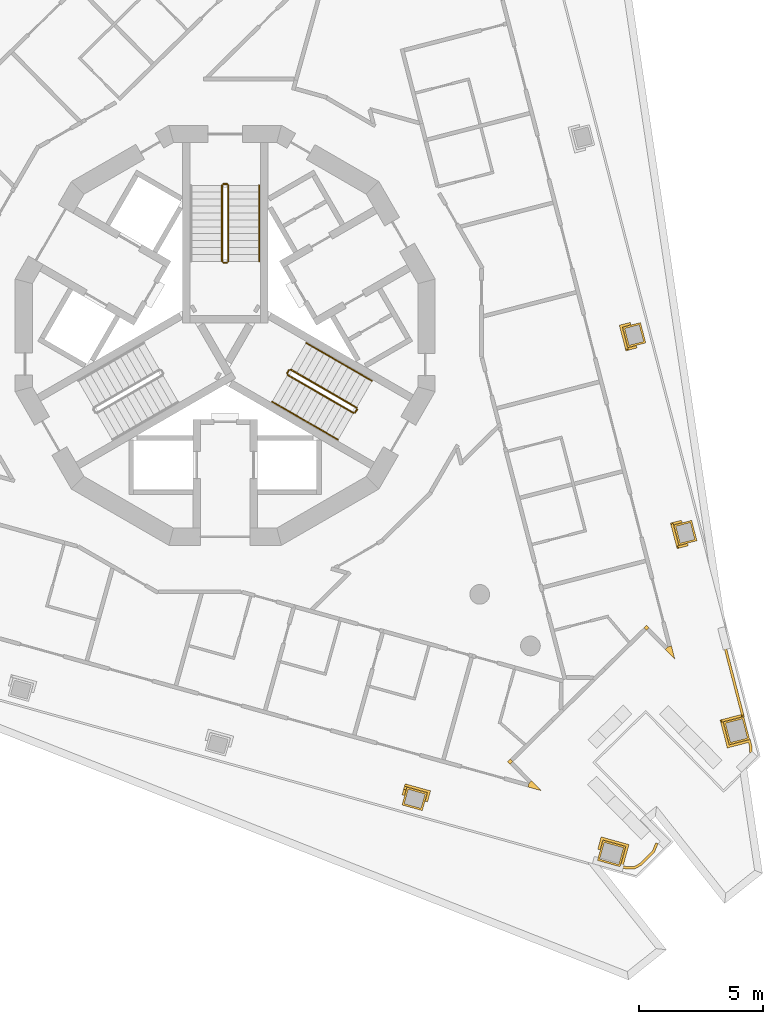
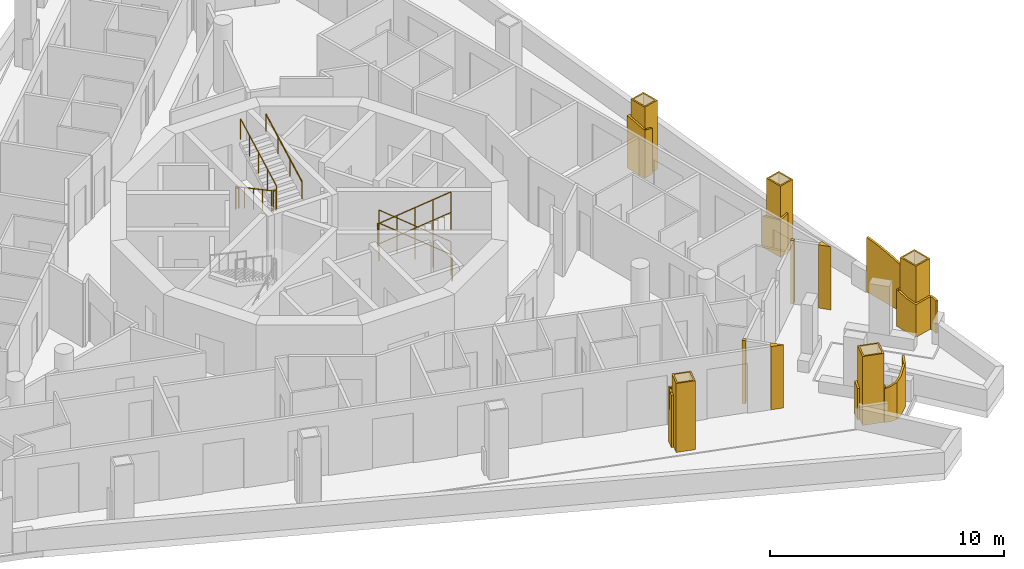
# One storey, part 12 of 14: 18 railings, 9 coverings.
"""IFC4 building model written with IfcOpenShell, lengths in metres."""

from ifc_helpers import new_model, si_unit, direction, frame, origin, origin_2d, place, context, subcontext, project, spatial, polyline, circle, outline, extrude, material, layer, layer_set, type_object, element, save


model = new_model("IFC4")

# Units and contexts
model_context = context("Model", 3, precision=1e-05, world=origin(), true_north=direction((0.0, 1.0)))
body_context = subcontext(model_context, "Body", "Model", "MODEL_VIEW")
ifc_project = project(units=[si_unit("LENGTHUNIT", "METRE"), si_unit("AREAUNIT", "SQUARE_METRE"), si_unit("VOLUMEUNIT", "CUBIC_METRE"), si_unit("PLANEANGLEUNIT", "RADIAN"), si_unit("MASSUNIT", "GRAM", prefix="KILO")], contexts=[model_context])

# Site, building, storey
site_placement = place(None, origin())
site = spatial("IfcSite", under=ifc_project, at=site_placement, CompositionType="ELEMENT")
building_placement = place(site_placement, origin())
building = spatial("IfcBuilding", under=site, at=building_placement, Name="Trine Commons Tower", CompositionType="ELEMENT")
storey_placement = place(building_placement, frame((0.0, 0.0, 234.89990234375)))
storey = spatial("IfcBuildingStorey", under=building, at=storey_placement, Name="L61", CompositionType="ELEMENT", Elevation=234.89990234375)

# Coverings
ifc_material_1 = material(Name="Aluminium-framed insulated wall panel", Category="aluminium")
ifc_layer_1 = layer(ifc_material_1, 0.14990234375)
ifc_layer_set_1 = layer_set([ifc_layer_1], Name="Aluminium-framed insulated wall panel")
covering_type_1 = type_object("IfcCoveringType", Name="Glazing corner post, aluminium", PredefinedType="CLADDING", material=ifc_layer_set_1)
covering_1_placement = place(storey_placement, origin())
element("IfcCovering", 1, at=covering_1_placement, inside=storey, type_object=covering_type_1, Name="Glazing corner post 7-06", PredefinedType="CLADDING", context=body_context, shape_type="SweptSolid", body=[
    extrude(outline(polyline([(97.80859375, 49.78515625), (98.200927734375, 49.3857421875), (98.060791015625, 49.927734375), (97.91552734375, 49.890380859375), (97.91552734375, 49.890380859375), (97.80859375, 49.78515625)])), origin(), (0.0, 0.0, 1.0), 3.300048828125),
])
covering_2_placement = place(storey_placement, origin())
element("IfcCovering", 2, at=covering_2_placement, inside=storey, type_object=covering_type_1, Name="Glazing corner post 7-07", PredefinedType="CLADDING", context=body_context, shape_type="SweptSolid", body=[
    extrude(outline(polyline([(96.9423828125, 50.66650390625), (97.047607421875, 50.5595703125), (97.154541015625, 50.66455078125), (97.04931640625, 50.771484375), (96.9423828125, 50.66650390625)])), origin(), (0.0, 0.0, 1.0), 3.300048828125),
])
covering_3_placement = place(storey_placement, origin())
element("IfcCovering", 3, at=covering_3_placement, inside=storey, type_object=covering_type_1, Name="Glazing corner post 7-08", PredefinedType="CLADDING", context=body_context, shape_type="SweptSolid", body=[
    extrude(outline(polyline([(91.5341796875, 45.1416015625), (91.64111328125, 45.24658203125), (91.535888671875, 45.353515625), (91.428955078125, 45.24853515625), (91.5341796875, 45.1416015625)])), origin(), (0.0, 0.0, 1.0), 3.300048828125),
])
covering_4_placement = place(storey_placement, origin())
element("IfcCovering", 4, at=covering_4_placement, inside=storey, type_object=covering_type_1, Name="Glazing corner post 7-09", PredefinedType="CLADDING", context=body_context, shape_type="SweptSolid", body=[
    extrude(outline(polyline([(92.255126953125, 44.222412109375), (92.79443359375, 44.072998046875), (92.402099609375, 44.47216796875), (92.295166015625, 44.3671875), (92.255126953125, 44.222412109375)])), origin(), (0.0, 0.0, 1.0), 3.300048828125),
])
ifc_material_2 = material(Name="Limestone, honed", Category="masonry")
ifc_layer_2 = layer(ifc_material_2, 0.074951171875)
ifc_layer_set_2 = layer_set([ifc_layer_2], Name="Limestone, honed")
covering_type_2 = type_object("IfcCoveringType", Name="Limestone column cladding 75", PredefinedType="CLADDING", material=ifc_layer_set_2)
covering_5_placement = place(storey_placement, origin())
element("IfcCovering", 5, at=covering_5_placement, inside=storey, type_object=covering_type_2, Name="Limestone pier cladding 7-01", PredefinedType="CLADDING", context=body_context, shape_type="SweptSolid", body=[
    extrude(outline(polyline([(95.292724609375, 42.0673828125), (95.0654296875, 41.248291015625), (95.98095703125, 40.994384765625), (96.2080078125, 41.8134765625), (95.292724609375, 42.0673828125)]), holes=[polyline([(95.344970703125, 41.97509765625), (95.15771484375, 41.300537109375), (95.9287109375, 41.086669921875), (96.11572265625, 41.76123046875), (95.344970703125, 41.97509765625)])]), origin(), (0.0, 0.0, 1.0), 3.60009765625),
])
covering_6_placement = place(storey_placement, origin())
element("IfcCovering", 6, at=covering_6_placement, inside=storey, type_object=covering_type_2, Name="Limestone pier cladding 7-02", PredefinedType="CLADDING", context=body_context, shape_type="SweptSolid", body=[
    extrude(outline(polyline([(87.359619140625, 44.215576171875), (87.158935546875, 43.492919921875), (87.97802734375, 43.265869140625), (88.1787109375, 43.988525390625), (87.359619140625, 44.215576171875)]), holes=[polyline([(87.41162109375, 44.123291015625), (87.25146484375, 43.545166015625), (87.92578125, 43.358154296875), (88.086181640625, 43.936279296875), (87.41162109375, 44.123291015625)])]), origin(), (0.0, 0.0, 1.0), 3.60009765625),
])
covering_7_placement = place(storey_placement, origin())
element("IfcCovering", 7, at=covering_7_placement, inside=storey, type_object=covering_type_2, Name="Limestone pier cladding 7-16", PredefinedType="CLADDING", context=body_context, shape_type="SweptSolid", body=[
    extrude(outline(polyline([(96.808837890625, 63.015625), (96.082763671875, 62.827880859375), (96.295654296875, 62.0048828125), (97.021728515625, 62.192626953125), (96.808837890625, 63.015625)]), holes=[polyline([(96.755126953125, 62.92431640625), (96.17431640625, 62.77392578125), (96.349609375, 62.09619140625), (96.930419921875, 62.24658203125), (96.755126953125, 62.92431640625)])]), origin(), (0.0, 0.0, 1.0), 3.60009765625),
])
covering_8_placement = place(storey_placement, origin())
element("IfcCovering", 8, at=covering_8_placement, inside=storey, type_object=covering_type_2, Name="Limestone pier cladding 7-17", PredefinedType="CLADDING", context=body_context, shape_type="SweptSolid", body=[
    extrude(outline(polyline([(98.87939453125, 55.010498046875), (98.1533203125, 54.822509765625), (98.3662109375, 53.99951171875), (99.09228515625, 54.1875), (98.87939453125, 55.010498046875)]), holes=[polyline([(98.825439453125, 54.9189453125), (98.24462890625, 54.768798828125), (98.419921875, 54.091064453125), (99.000732421875, 54.2412109375), (98.825439453125, 54.9189453125)])]), origin(), (0.0, 0.0, 1.0), 3.60009765625),
])
covering_9_placement = place(storey_placement, origin())
element("IfcCovering", 9, at=covering_9_placement, inside=storey, type_object=covering_type_2, Name="Limestone pier cladding 7-18", PredefinedType="CLADDING", context=body_context, shape_type="SweptSolid", body=[
    extrude(outline(polyline([(100.985595703125, 47.06591796875), (100.16259765625, 46.853271484375), (100.400390625, 45.933349609375), (101.223388671875, 46.146240234375), (100.985595703125, 47.06591796875)]), holes=[polyline([(100.931640625, 46.974609375), (100.25390625, 46.79931640625), (100.454345703125, 46.02490234375), (101.132080078125, 46.2001953125), (100.931640625, 46.974609375)])]), origin(), (0.0, 0.0, 1.0), 3.60009765625),
])

# Railings
ifc_material_3 = material(Name="Stainless steel balustrade", Category="steel")
railing_type_1 = type_object("IfcRailingType", Name="Stair guard, steel balustrade 1100", PredefinedType="GUARDRAIL", material=ifc_material_3)
railing_1_placement = place(storey_placement, frame((79.875, 68.570556640625, 0.150146484375)))
element("IfcRailing", 10, at=railing_1_placement, inside=storey, type_object=railing_type_1, Name="L61 ST1C stair guard 1", PredefinedType="GUARDRAIL", context=body_context, shape_type="SweptSolid", body=[
    extrude(circle(Radius=0.02392578125, at=origin_2d()), frame((0.0, 0.0, 1.076171875), z_axis=(0.0, -0.881496589024, 0.472190389079), x_axis=(1.0, 0.0, 0.0)), (0.0, 0.0, 1.0), 3.494140625),
    extrude(circle(Radius=0.02099609375, at=origin_2d()), origin(), (0.0, 0.0, 1.0), 1.052001953125),
    extrude(circle(Radius=0.02099609375, at=origin_2d()), frame((0.0, -0.77001953125, 0.41259765625)), (0.0, 0.0, 1.0), 1.052001953125),
    extrude(circle(Radius=0.02099609375, at=origin_2d()), frame((0.0, -1.5400390625, 0.824951171875)), (0.0, 0.0, 1.0), 1.052001953125),
    extrude(circle(Radius=0.02099609375, at=origin_2d()), frame((0.0, -2.31005859375, 1.2373046875)), (0.0, 0.0, 1.0), 1.052001953125),
    extrude(circle(Radius=0.02099609375, at=origin_2d()), frame((0.0, -3.080078125, 1.64990234375)), (0.0, 0.0, 1.0), 1.052001953125),
])
railing_2_placement = place(storey_placement, frame((79.925048828125, 65.440673828125, 1.800048828125)))
element("IfcRailing", 11, at=railing_2_placement, inside=storey, type_object=railing_type_1, Name="L61 ST1C stair guard 2", PredefinedType="GUARDRAIL", context=body_context, shape_type="SweptSolid", body=[
    extrude(circle(Radius=0.02392578125, at=origin_2d()), frame((0.0, 0.0, 1.076171875), z_axis=(1.0, 0.0, 0.0), x_axis=(0.0, 1.0, 0.0)), (0.0, 0.0, 1.0), 0.14990234375),
    extrude(circle(Radius=0.02099609375, at=origin_2d()), origin(), (0.0, 0.0, 1.0), 1.052001953125),
    extrude(circle(Radius=0.02099609375, at=origin_2d()), frame((0.14990234375, 0.0, 0.0)), (0.0, 0.0, 1.0), 1.052001953125),
])
railing_3_placement = place(storey_placement, frame((80.125, 65.490478515625, 1.9501953125)))
element("IfcRailing", 12, at=railing_3_placement, inside=storey, type_object=railing_type_1, Name="L61 ST1C stair guard 3", PredefinedType="GUARDRAIL", context=body_context, shape_type="SweptSolid", body=[
    extrude(circle(Radius=0.02392578125, at=origin_2d()), frame((0.0, 0.0, 1.076171875), z_axis=(0.0, 0.881496589024, 0.472190389079), x_axis=(-1.0, 0.0, 0.0)), (0.0, 0.0, 1.0), 3.494140625),
    extrude(circle(Radius=0.02099609375, at=origin_2d()), origin(), (0.0, 0.0, 1.0), 1.052001953125),
    extrude(circle(Radius=0.02099609375, at=origin_2d()), frame((0.0, 0.77001953125, 0.41259765625)), (0.0, 0.0, 1.0), 1.052001953125),
    extrude(circle(Radius=0.02099609375, at=origin_2d()), frame((0.0, 1.5400390625, 0.824951171875)), (0.0, 0.0, 1.0), 1.052001953125),
    extrude(circle(Radius=0.02099609375, at=origin_2d()), frame((0.0, 2.31005859375, 1.2373046875)), (0.0, 0.0, 1.0), 1.052001953125),
    extrude(circle(Radius=0.02099609375, at=origin_2d()), frame((0.0, 3.080078125, 1.64990234375)), (0.0, 0.0, 1.0), 1.052001953125),
])
railing_4_placement = place(storey_placement, frame((79.925048828125, 68.62060546875, 0.0)))
element("IfcRailing", 13, at=railing_4_placement, inside=storey, type_object=railing_type_1, Name="L61 ST1C stair guard 4", PredefinedType="GUARDRAIL", context=body_context, shape_type="SweptSolid", body=[
    extrude(circle(Radius=0.02392578125, at=origin_2d()), frame((0.0, 0.0, 1.076171875), z_axis=(1.0, 0.0, 0.0), x_axis=(0.0, 1.0, 0.0)), (0.0, 0.0, 1.0), 0.14990234375),
    extrude(circle(Radius=0.02099609375, at=origin_2d()), origin(), (0.0, 0.0, 1.0), 1.052001953125),
    extrude(circle(Radius=0.02099609375, at=origin_2d()), frame((0.14990234375, 0.0, 0.0)), (0.0, 0.0, 1.0), 1.052001953125),
])
railing_5_placement = place(storey_placement, frame((85.31982421875, 59.572998046875, 0.150146484375)))
element("IfcRailing", 14, at=railing_5_placement, inside=storey, type_object=railing_type_1, Name="L61 ST3C stair guard 1", PredefinedType="GUARDRAIL", context=body_context, shape_type="SweptSolid", body=[
    extrude(circle(Radius=0.02392578125, at=origin_2d()), frame((0.0, 0.0, 1.076171875), z_axis=(-0.76340495495, 0.440743040072, 0.472184759798), x_axis=(-0.499992328818, -0.866029832698, 0.0)), (0.0, 0.0, 1.0), 3.494140625),
    extrude(circle(Radius=0.02099609375, at=origin_2d()), origin(), (0.0, 0.0, 1.0), 1.052001953125),
    extrude(circle(Radius=0.02099609375, at=origin_2d()), frame((-0.6669921875, 0.385009765625, 0.41259765625)), (0.0, 0.0, 1.0), 1.052001953125),
    extrude(circle(Radius=0.02099609375, at=origin_2d()), frame((-1.333740234375, 0.77001953125, 0.824951171875)), (0.0, 0.0, 1.0), 1.052001953125),
    extrude(circle(Radius=0.02099609375, at=origin_2d()), frame((-2.00048828125, 1.155029296875, 1.2373046875)), (0.0, 0.0, 1.0), 1.052001953125),
    extrude(circle(Radius=0.02099609375, at=origin_2d()), frame((-2.66748046875, 1.5400390625, 1.64990234375)), (0.0, 0.0, 1.0), 1.052001953125),
])
railing_6_placement = place(storey_placement, frame((82.584228515625, 61.0947265625, 1.800048828125)))
element("IfcRailing", 15, at=railing_6_placement, inside=storey, type_object=railing_type_1, Name="L61 ST3C stair guard 2", PredefinedType="GUARDRAIL", context=body_context, shape_type="SweptSolid", body=[
    extrude(circle(Radius=0.02392578125, at=origin_2d()), frame((0.0, 0.0, 1.076171875), z_axis=(-0.501036270542, -0.865426285481, 0.0), x_axis=(0.865426285481, -0.501036270542, 0.0)), (0.0, 0.0, 1.0), 0.150146484375),
    extrude(circle(Radius=0.02099609375, at=origin_2d()), origin(), (0.0, 0.0, 1.0), 1.052001953125),
    extrude(circle(Radius=0.02099609375, at=origin_2d()), frame((-0.0751953125, -0.1298828125, 0.0)), (0.0, 0.0, 1.0), 1.052001953125),
])
railing_7_placement = place(storey_placement, frame((82.52734375, 60.896484375, 1.9501953125)))
element("IfcRailing", 16, at=railing_7_placement, inside=storey, type_object=railing_type_1, Name="L61 ST3C stair guard 3", PredefinedType="GUARDRAIL", context=body_context, shape_type="SweptSolid", body=[
    extrude(circle(Radius=0.02392578125, at=origin_2d()), frame((0.0, 0.0, 1.076171875), z_axis=(0.76340495495, -0.440743040072, 0.472184759798), x_axis=(0.499992328818, 0.866029832698, 0.0)), (0.0, 0.0, 1.0), 3.494140625),
    extrude(circle(Radius=0.02099609375, at=origin_2d()), origin(), (0.0, 0.0, 1.0), 1.052001953125),
    extrude(circle(Radius=0.02099609375, at=origin_2d()), frame((0.6669921875, -0.385009765625, 0.41259765625)), (0.0, 0.0, 1.0), 1.052001953125),
    extrude(circle(Radius=0.02099609375, at=origin_2d()), frame((1.333740234375, -0.77001953125, 0.824951171875)), (0.0, 0.0, 1.0), 1.052001953125),
    extrude(circle(Radius=0.02099609375, at=origin_2d()), frame((2.00048828125, -1.155029296875, 1.2373046875)), (0.0, 0.0, 1.0), 1.052001953125),
    extrude(circle(Radius=0.02099609375, at=origin_2d()), frame((2.66748046875, -1.5400390625, 1.64990234375)), (0.0, 0.0, 1.0), 1.052001953125),
])
railing_8_placement = place(storey_placement, frame((85.338134765625, 59.504638671875, 0.0)))
element("IfcRailing", 17, at=railing_8_placement, inside=storey, type_object=railing_type_1, Name="L61 ST3C stair guard 4", PredefinedType="GUARDRAIL", context=body_context, shape_type="SweptSolid", body=[
    extrude(circle(Radius=0.02392578125, at=origin_2d()), frame((0.0, 0.0, 1.076171875), z_axis=(-0.499816412211, -0.866131372301, 0.0), x_axis=(0.866131372301, -0.499816412211, 0.0)), (0.0, 0.0, 1.0), 0.14990234375),
    extrude(circle(Radius=0.02099609375, at=origin_2d()), origin(), (0.0, 0.0, 1.0), 1.052001953125),
    extrude(circle(Radius=0.02099609375, at=origin_2d()), frame((-0.074951171875, -0.1298828125, 0.0)), (0.0, 0.0, 1.0), 1.052001953125),
])
ifc_material_4 = material(Name="Stainless steel handrail", Category="steel")
railing_type_2 = type_object("IfcRailingType", Name="Stair handrail, steel 900", PredefinedType="HANDRAIL", material=ifc_material_4)
railing_9_placement = place(storey_placement, frame((81.375, 65.490478515625, 1.9501953125)))
element("IfcRailing", 18, at=railing_9_placement, inside=storey, type_object=railing_type_2, Name="L61 ST1C stair handrail 2", PredefinedType="HANDRAIL", context=body_context, shape_type="SweptSolid", body=[
    extrude(circle(Radius=0.02099609375, at=origin_2d()), frame((0.0, 0.0, 0.87890625), z_axis=(0.0, 0.881496589024, 0.472190389079), x_axis=(-1.0, 0.0, 0.0)), (0.0, 0.0, 1.0), 3.494140625),
    extrude(circle(Radius=0.01513671875, at=origin_2d()), origin(), (0.0, 0.0, 1.0), 0.85791015625),
    extrude(circle(Radius=0.01513671875, at=origin_2d()), frame((0.0, 1.026611328125, 0.550048828125)), (0.0, 0.0, 1.0), 0.85791015625),
    extrude(circle(Radius=0.01513671875, at=origin_2d()), frame((0.0, 2.053466796875, 1.099853515625)), (0.0, 0.0, 1.0), 0.85791015625),
    extrude(circle(Radius=0.01513671875, at=origin_2d()), frame((0.0, 3.080078125, 1.64990234375)), (0.0, 0.0, 1.0), 0.85791015625),
])
for number, where, name in (
    (19, (85.94482421875, 60.655517578125, 0.150146484375), "L61 ST3C stair handrail 1"),
    (20, (84.611083984375, 61.425537109375, 0.97509765625), "L61 ST3C stair handrail 2"),
):
    element("IfcRailing", number, at=place(storey_placement, frame(where)), inside=storey, type_object=railing_type_2, Name=name, PredefinedType="HANDRAIL", context=body_context, shape_type="SweptSolid", body=[
        extrude(circle(Radius=0.02099609375, at=origin_2d()), frame((0.0, 0.0, 0.87890625), z_axis=(-0.76340495495, 0.440743040072, 0.472184759798), x_axis=(-0.499992328818, -0.866029832698, 0.0)), (0.0, 0.0, 1.0), 1.7470703125),
        extrude(circle(Radius=0.01513671875, at=origin_2d()), origin(), (0.0, 0.0, 1.0), 0.85791015625),
        extrude(circle(Radius=0.01513671875, at=origin_2d()), frame((-0.6669921875, 0.385009765625, 0.41259765625)), (0.0, 0.0, 1.0), 0.85791015625),
        extrude(circle(Radius=0.01513671875, at=origin_2d()), frame((-1.333740234375, 0.77001953125, 0.824951171875)), (0.0, 0.0, 1.0), 0.85791015625),
    ])
for number, where, name in (
    (21, (81.90234375, 59.81396484375, 1.9501953125), "L61 ST3C stair handrail 3"),
    (22, (83.236083984375, 59.0439453125, 2.775146484375), "L61 ST3C stair handrail 4"),
):
    element("IfcRailing", number, at=place(storey_placement, frame(where)), inside=storey, type_object=railing_type_2, Name=name, PredefinedType="HANDRAIL", context=body_context, shape_type="SweptSolid", body=[
        extrude(circle(Radius=0.02099609375, at=origin_2d()), frame((0.0, 0.0, 0.87890625), z_axis=(0.76340495495, -0.440743040072, 0.472184759798), x_axis=(0.499992328818, 0.866029832698, 0.0)), (0.0, 0.0, 1.0), 1.7470703125),
        extrude(circle(Radius=0.01513671875, at=origin_2d()), origin(), (0.0, 0.0, 1.0), 0.85791015625),
        extrude(circle(Radius=0.01513671875, at=origin_2d()), frame((0.6669921875, -0.385009765625, 0.41259765625)), (0.0, 0.0, 1.0), 0.85791015625),
        extrude(circle(Radius=0.01513671875, at=origin_2d()), frame((1.333740234375, -0.77001953125, 0.824951171875)), (0.0, 0.0, 1.0), 0.85791015625),
    ])
ifc_material_5 = material(Name="White powder-coated aluminium", Category="aluminium")
ifc_layer_3 = layer(ifc_material_5, 0.10009765625)
ifc_layer_set_3 = layer_set([ifc_layer_3], Name="White powder-coated aluminium")
railing_type_3 = type_object("IfcRailingType", Name="White balustrade band 100", PredefinedType="GUARDRAIL", material=ifc_layer_set_3)
railing_10_placement = place(storey_placement, origin())
element("IfcRailing", 23, at=railing_10_placement, inside=storey, type_object=railing_type_3, Name="Guard band L61", PredefinedType="GUARDRAIL", context=body_context, shape_type="SweptSolid", body=[
    extrude(outline(polyline([(0.0, 0.0), (0.465576171875, 0.0), (0.4658203125, 2.826904296875), (0.4658203125, 2.826904296875), (0.0, 2.730712890625), (0.0, 0.0)])), frame((88.09326171875, 43.643798828125, 0.0), z_axis=(0.963727947099, -0.266886575122, 0.0), x_axis=(0.266886575122, 0.963727947099, 0.0)), (0.0, 0.0, 1.0), 0.10009765625),
    extrude(outline(polyline([(0.0, 0.0), (1.071044921875, 0.0), (1.0712890625, 2.89892578125), (0.53564453125, 2.873046875), (0.0, 2.81298828125), (0.0, 0.0)])), frame((88.28759765625, 43.968505859375, 0.0), z_axis=(0.267126588607, 0.963661447636, 0.0), x_axis=(-0.963661447636, 0.267126588607, 0.0)), (0.0, 0.0, 1.0), 0.10009765625),
    extrude(outline(polyline([(0.0, 0.0), (0.4658203125, 0.0), (0.4658203125, 2.72998046875), (0.233642578125, 2.72998046875), (0.0, 2.896728515625), (0.0, 0.0)])), frame((87.379638671875, 44.324951171875, 0.0), z_axis=(-0.96363043115, 0.267238455621, 0.0), x_axis=(-0.267238455621, -0.96363043115, 0.0)), (0.0, 0.0, 1.0), 0.10009765625),
])
railing_11_placement = place(storey_placement, origin())
element("IfcRailing", 24, at=railing_11_placement, inside=storey, type_object=railing_type_3, Name="Guard band L61 15", PredefinedType="GUARDRAIL", context=body_context, shape_type="SweptSolid", body=[
    extrude(outline(polyline([(0.0, 0.0), (0.466064453125, 0.0), (0.4658203125, 2.721923828125), (0.0, 2.72998046875), (0.0, 0.0)])), frame((96.424072265625, 62.926513671875, 0.0), z_axis=(-0.250416686723, 0.968138152854, 0.0), x_axis=(-0.968138152854, -0.250416686723, 0.0)), (0.0, 0.0, 1.0), 0.10009765625),
    extrude(outline(polyline([(0.0, 0.0), (1.07177734375, 0.0), (1.07177734375, 2.488037109375), (0.535888671875, 2.627197265625), (0.0, 2.74169921875), (0.0, 0.0)])), frame((96.04541015625, 62.9326171875, 0.0), z_axis=(-0.968154527806, -0.250353370837, 0.0), x_axis=(0.250353370837, -0.968154527806, 0.0)), (0.0, 0.0, 1.0), 0.10009765625),
    extrude(outline(polyline([(0.0, 0.0), (0.4658203125, 0.0), (0.4658203125, 2.382568359375), (0.0, 2.51611328125), (0.0, 0.0)])), frame((96.19091796875, 61.96728515625, 0.0), z_axis=(0.250543758446, -0.968105275837, 0.0), x_axis=(0.968105275837, 0.250543758446, 0.0)), (0.0, 0.0, 1.0), 0.10009765625),
])
railing_12_placement = place(storey_placement, origin())
element("IfcRailing", 25, at=railing_12_placement, inside=storey, type_object=railing_type_3, Name="Guard band L61 16", PredefinedType="GUARDRAIL", context=body_context, shape_type="SweptSolid", body=[
    extrude(outline(polyline([(0.0, 0.0), (0.466064453125, 0.0), (0.46630859375, 1.643310546875), (0.0, 1.507080078125), (0.0, 0.0)])), frame((98.494140625, 54.921142578125, 0.0), z_axis=(-0.250416686723, 0.968138152854, 0.0), x_axis=(-0.968138152854, -0.250416686723, 0.0)), (0.0, 0.0, 1.0), 0.10009765625),
    extrude(outline(polyline([(0.0, 0.0), (1.072021484375, 0.0), (1.072021484375, 1.955078125), (0.535888671875, 1.779541015625), (0.0, 1.612548828125), (0.0, 0.0)])), frame((98.11572265625, 54.927001953125, 0.0), z_axis=(-0.968113589481, -0.250511632188, 0.0), x_axis=(0.250511632188, -0.968113589481, 0.0)), (0.0, 0.0, 1.0), 0.10009765625),
    extrude(outline(polyline([(0.0, 0.0), (0.4658203125, 0.0), (0.4658203125, 2.07568359375), (0.0, 1.92138671875), (0.0, 0.0)])), frame((98.26123046875, 53.962158203125, 0.0), z_axis=(0.250543758446, -0.968105275837, 0.0), x_axis=(0.968105275837, 0.250543758446, 0.0)), (0.0, 0.0, 1.0), 0.10009765625),
])
railing_13_placement = place(storey_placement, origin())
element("IfcRailing", 26, at=railing_13_placement, inside=storey, type_object=railing_type_3, Name="Guard band L61 17", PredefinedType="GUARDRAIL", context=body_context, shape_type="SweptSolid", body=[
    extrude(outline(polyline([(0.0, 0.0), (2.822509765625, 0.0), (2.822509765625, 2.1884765625), (2.822509765625, 2.1884765625), (2.087646484375, 2.41748046875), (1.3525390625, 2.615478515625), (0.617431640625, 2.768798828125), (0.0, 2.8505859375), (0.0, 0.0)])), frame((100.300537109375, 49.813720703125, 0.0), z_axis=(-0.968141488862, -0.250403788998, 0.0), x_axis=(0.250403788998, -0.968141488862, 0.0)), (0.0, 0.0, 1.0), 0.10009765625),
    extrude(outline(polyline([(0.0, 0.0), (0.986328125, 0.0), (0.986083984375, 1.896484375), (0.4931640625, 2.059814453125), (0.0, 2.22119140625), (0.0, 0.0)])), frame((101.007568359375, 47.08203125, 0.0), z_axis=(-0.250506829509, 0.968114832223, 0.0), x_axis=(-0.968114832223, -0.250506829509, 0.0)), (0.0, 0.0, 1.0), 0.10009765625),
    extrude(outline(polyline([(0.0, 0.0), (1.171630859375, 0.0), (1.17138671875, 1.7001953125), (0.585693359375, 1.739501953125), (0.0, 1.93017578125), (0.0, 0.0)])), frame((100.125244140625, 46.95751953125, 0.0), z_axis=(-0.968174775958, -0.250275055085, 0.0), x_axis=(0.250275055085, -0.968174775958, 0.0)), (0.0, 0.0, 1.0), 0.10009765625),
    extrude(outline(polyline([(0.0, 0.0), (0.98681640625, 0.0), (0.98681640625, 1.699951171875), (0.493408203125, 1.7001953125), (0.0, 1.7001953125), (0.0, 0.0)])), frame((100.2958984375, 45.89599609375, 0.0), z_axis=(0.250386820359, -0.968145877536, 0.0), x_axis=(0.968145877536, 0.250386820359, 0.0)), (0.0, 0.0, 1.0), 0.10009765625),
    extrude(outline(polyline([(0.0, 0.0), (0.26171875, 0.0), (0.26171875, 1.7001953125), (0.0, 1.7001953125), (0.0, 0.0)])), frame((101.249755859375, 46.1435546875, 0.0), z_axis=(-0.968022065869, -0.250865063313, 0.0), x_axis=(0.250865063313, -0.968022065869, 0.0)), (0.0, 0.0, 1.0), 0.10009765625),
    extrude(outline(polyline([(0.0, 0.0), (0.266845703125, 0.0), (0.266845703125, 1.7001953125), (0.0, 1.7001953125), (0.0, 0.0)])), frame((101.315185546875, 45.89208984375, 0.0), z_axis=(-0.99995814933, 0.009148747935, 0.0), x_axis=(-0.009148747935, -0.99995814933, 0.0)), (0.0, 0.0, 1.0), 0.10009765625),
])
railing_14_placement = place(storey_placement, origin())
element("IfcRailing", 27, at=railing_14_placement, inside=storey, type_object=railing_type_3, Name="Guard band L61 18", PredefinedType="GUARDRAIL", context=body_context, shape_type="SweptSolid", body=[
    extrude(outline(polyline([(0.0, 0.0), (0.3974609375, 0.0), (0.3974609375, 2.265380859375), (0.0, 2.38720703125), (0.0, 0.0)])), frame((97.519775390625, 41.9267578125, 0.0), z_axis=(-0.920789117133, 0.390060766764, 0.0), x_axis=(-0.390060766764, -0.920789117133, 0.0)), (0.0, 0.0, 1.0), 0.10009765625),
    extrude(outline(polyline([(0.0, 0.0), (0.720703125, 0.0), (0.720947265625, 2.03759765625), (0.0, 2.2724609375), (0.0, 0.0)])), frame((97.36572265625, 41.5625, 0.0), z_axis=(-0.700812685772, 0.713345343758, 0.0), x_axis=(-0.713345343758, -0.700812685772, 0.0)), (0.0, 0.0, 1.0), 0.10009765625),
    extrude(outline(polyline([(0.0, 0.0), (0.332275390625, 0.0), (0.332275390625, 1.9326171875), (0.0, 2.042724609375), (0.0, 0.0)])), frame((96.853271484375, 41.058837890625, 0.0), z_axis=(-0.492178281084, 0.870494422515, 0.0), x_axis=(-0.870494422515, -0.492178281084, 0.0)), (0.0, 0.0, 1.0), 0.10009765625),
    extrude(outline(polyline([(0.0, 0.0), (0.331787109375, 0.0), (0.331787109375, 1.83251953125), (0.0, 1.94189453125), (0.0, 0.0)])), frame((96.56494140625, 40.895263671875, 0.0), z_axis=(0.00882967786, 0.999961017635, 0.0), x_axis=(-0.999961017635, 0.00882967786, 0.0)), (0.0, 0.0, 1.0), 0.10009765625),
    extrude(outline(polyline([(0.0, 0.0), (0.26123046875, 0.0), (0.260986328125, 1.7529296875), (0.0, 1.83740234375), (0.0, 0.0)])), frame((96.234619140625, 40.89794921875, 0.0), z_axis=(0.267306413665, 0.963611582129, 0.0), x_axis=(-0.963611582129, 0.267306413665, 0.0)), (0.0, 0.0, 1.0), 0.10009765625),
    extrude(outline(polyline([(0.0, 0.0), (0.98681640625, 0.0), (0.98681640625, 1.7001953125), (0.493408203125, 1.7001953125), (0.0, 1.78564453125), (0.0, 0.0)])), frame((95.983642578125, 40.967041015625, 0.0), z_axis=(0.963641862996, -0.267197230304, 0.0), x_axis=(0.267197230304, 0.963641862996, 0.0)), (0.0, 0.0, 1.0), 0.10009765625),
    extrude(outline(polyline([(0.0, 0.0), (1.171875, 0.0), (1.171875, 1.7001953125), (0.5859375, 1.7001953125), (0.0, 1.7001953125), (0.0, 0.0)])), frame((96.317626953125, 41.79345703125, 0.0), z_axis=(0.267063628845, 0.963678897843, 0.0), x_axis=(-0.963678897843, 0.267063628845, 0.0)), (0.0, 0.0, 1.0), 0.10009765625),
    extrude(outline(polyline([(0.0, 0.0), (0.515869140625, 0.0), (0.515869140625, 1.647705078125), (0.493408203125, 1.657470703125), (0.0, 1.7001953125), (0.0, 0.0)])), frame((95.312744140625, 42.1767578125, 0.0), z_axis=(-0.96370754317, 0.266960242803, 0.0), x_axis=(-0.266960242803, -0.96370754317, 0.0)), (0.0, 0.0, 1.0), 0.10009765625),
])

save(model, "model.ifc")
